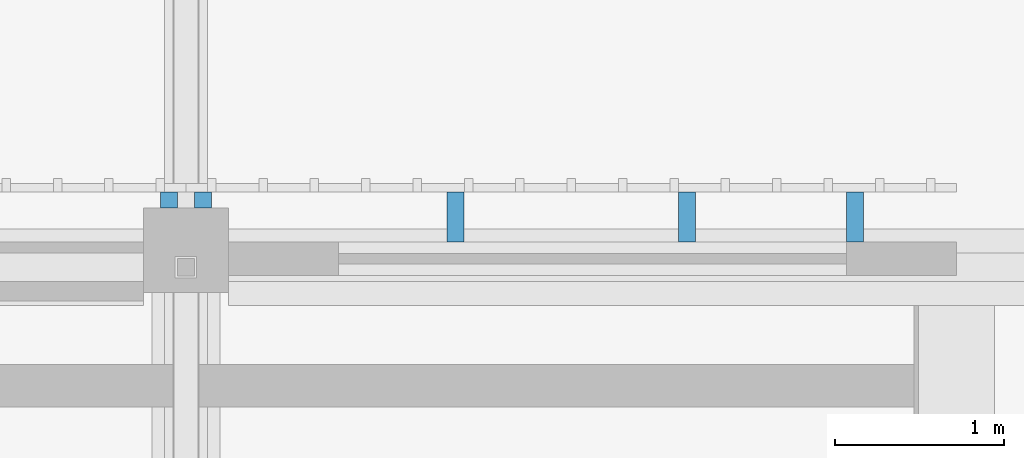
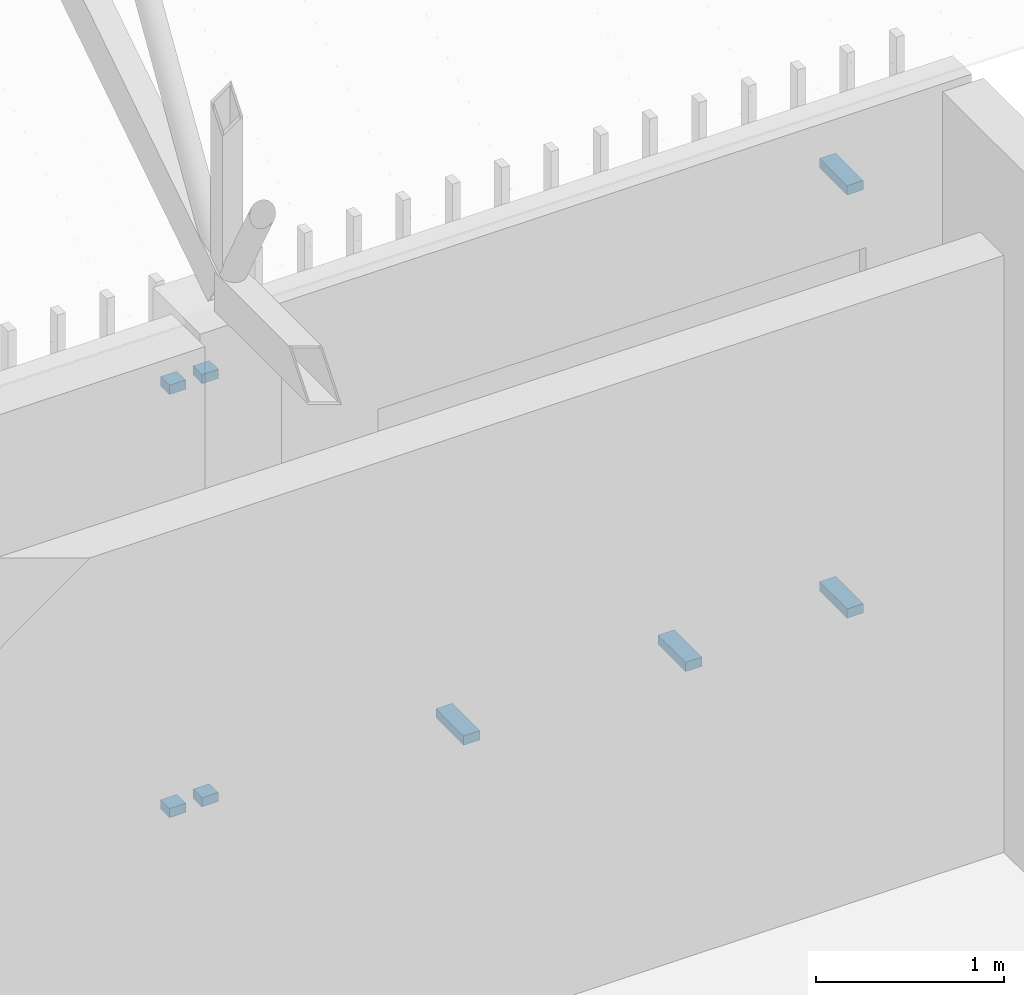
# One storey, part 448 of 500: 8 discrete accessories.
"""IFC4 building model written with IfcOpenShell, lengths in metres."""

import ifcopenshell
import ifcopenshell.guid

model = None  # the IFC model being written
_history = None  # IfcOwnerHistory: only IFC2X3 demands one
_inside = {}  # id of a spatial element -> (the spatial element, [elements in it])
_under = {}  # id of a project, library or spatial element -> (it, [spatial elements below it])
_declared = {}  # id of a project -> (the project, [libraries it declares])
_typed = {}  # id of a type object -> (the type object, [elements of that type])
_made_of = {}  # id of a material, layer set ... -> (it, [elements and type objects made of it])


def new_model(schema):
    """Start an empty IFC model of exactly this schema.

    Asked for "IFC4X3", IfcOpenShell would pick the latest addendum, in which some entities
    have other attributes; the version numbers below select the first issue.
    IFC2X3 requires an IfcOwnerHistory on every rooted entity: one is made here for all.
    """
    global model, _history
    if schema == "IFC4X3":
        model = ifcopenshell.file(schema_version=(4, 3, 0, 0))
    else:
        model = ifcopenshell.file(schema=schema)
    _inside.clear()
    _under.clear()
    _declared.clear()
    _typed.clear()
    _made_of.clear()
    _history = None
    if model.schema == "IFC2X3":
        org = make("IfcOrganization", Name="unknown")
        user = make(
            "IfcPersonAndOrganization",
            ThePerson=make("IfcPerson", FamilyName="unknown"),
            TheOrganization=org,
        )
        app = make(
            "IfcApplication",
            ApplicationDeveloper=org,
            Version="unknown",
            ApplicationFullName="unknown",
            ApplicationIdentifier="unknown",
        )
        _history = make(
            "IfcOwnerHistory",
            OwningUser=user,
            OwningApplication=app,
            ChangeAction="ADDED",
            CreationDate=0,
        )
    return model


def make(cls, **values):
    """One entity of the class cls with the attributes given. An attribute that is None is left unset."""
    return model.create_entity(
        cls, **{name: value for name, value in values.items() if value is not None}
    )


def rooted(cls, **values):
    """An entity with a GlobalId (a new one), such as an element, a storey or a relation."""
    return make(cls, GlobalId=ifcopenshell.guid.new(), OwnerHistory=_history, **values)


def si_unit(unit_type, name, prefix=None):
    """IfcSIUnit, for example si_unit("LENGTHUNIT", "METRE", prefix="MILLI")."""
    return make("IfcSIUnit", UnitType=unit_type, Prefix=prefix, Name=name)


def assignment(units):
    """IfcUnitAssignment: the units of a project."""
    return None if units is None else make("IfcUnitAssignment", Units=units)


def point(xyz):
    """IfcCartesianPoint."""
    return None if xyz is None else make("IfcCartesianPoint", Coordinates=xyz)


def direction(xyz):
    """IfcDirection."""
    return None if xyz is None else make("IfcDirection", DirectionRatios=xyz)


def frame(location, z_axis=None, x_axis=None):
    """IfcAxis2Placement3D, a coordinate frame: its origin and axes. An axis left out is left unset."""
    return make(
        "IfcAxis2Placement3D",
        Location=point(location),
        Axis=direction(z_axis),
        RefDirection=direction(x_axis),
    )


def frame_2d(location, x_axis=None):
    """IfcAxis2Placement2D, a coordinate frame in the plane: its origin and x axis."""
    return make(
        "IfcAxis2Placement2D", Location=point(location), RefDirection=direction(x_axis)
    )


def origin():
    """The frame at (0, 0, 0) with its axes left unset."""
    return frame((0.0, 0.0, 0.0))


def origin_2d():
    """The frame at (0, 0) in the plane with its x axis left unset."""
    return frame_2d((0.0, 0.0))


def place(relative_to, where):
    """IfcLocalPlacement: puts the frame where relative to a parent placement (None: the world)."""
    return make(
        "IfcLocalPlacement", PlacementRelTo=relative_to, RelativePlacement=where
    )


def context(
    kind, dimensions, precision=None, world=None, true_north=None, identifier=None
):
    """IfcGeometricRepresentationContext, for example the 3D "Model" context."""
    return make(
        "IfcGeometricRepresentationContext",
        ContextIdentifier=identifier,
        ContextType=kind,
        CoordinateSpaceDimension=dimensions,
        Precision=precision,
        WorldCoordinateSystem=world,
        TrueNorth=true_north,
    )


def subcontext(parent, identifier, kind, view, scale=None):
    """IfcGeometricRepresentationSubContext, for example "Body" below "Model"."""
    return make(
        "IfcGeometricRepresentationSubContext",
        ContextIdentifier=identifier,
        ContextType=kind,
        ParentContext=parent,
        TargetScale=scale,
        TargetView=view,
    )


def project(units=None, contexts=None):
    """IfcProject with its units and contexts."""
    return rooted(
        "IfcProject",
        Name="project",
        RepresentationContexts=contexts,
        UnitsInContext=assignment(units),
    )


def spatial(cls, under=None, at=None, **own):
    """A site, building, storey or space (cls), placed at a placement, below another one or the project."""
    s = rooted(cls, ObjectPlacement=at, **own)
    if under is not None:
        _under.setdefault(under.id(), (under, []))[1].append(s)
    return s


def profile(cls, at=None, kind="AREA", **sizes):
    """A parametric profile (cls). Its sizes go by their IFC names, for example OverallWidth=200.0."""
    return make(cls, ProfileType=kind, Position=at, **sizes)


def rectangle(**sizes):
    """IfcRectangleProfileDef."""
    return profile("IfcRectangleProfileDef", **sizes)


def extrude(swept, where, along, depth):
    """IfcExtrudedAreaSolid: the profile swept, set in the frame where, extruded along a direction by depth."""
    return make(
        "IfcExtrudedAreaSolid",
        SweptArea=swept,
        Position=where,
        ExtrudedDirection=direction(along),
        Depth=depth,
    )


def shape(context_of_items, identifier, shape_type, items):
    """IfcShapeRepresentation: the items that make up one representation, for example the "Body"."""
    return make(
        "IfcShapeRepresentation",
        ContextOfItems=context_of_items,
        RepresentationIdentifier=identifier,
        RepresentationType=shape_type,
        Items=items,
    )


def material(Name=None, Category=None):
    """IfcMaterial."""
    return make("IfcMaterial", Name=Name, Category=Category)


def made_of(thing, what):
    """Note that an element or type object is made of a material, layer set ...; save() writes the relation."""
    if what is not None:
        _made_of.setdefault(what.id(), (what, []))[1].append(thing)
    return thing


def type_object(cls, material=None, **own):
    """A type object (cls), such as IfcWallType, which elements share."""
    return made_of(rooted(cls, **own), material)


def element(
    cls,
    number,
    at=None,
    inside=None,
    cuts=None,
    type_object=None,
    material=None,
    context=None,
    identifier="Body",
    shape_type=None,
    held_by="IfcProductDefinitionShape",
    body=None,
    shapes=None,
    **own,
):
    """One element of the class cls, such as IfcWall. Its Tag is "e" and its number.

    at: its placement. inside: the storey or other place that contains it. cuts: it is an
    opening in that element (IfcRelVoidsElement). A single representation is given by context,
    identifier, shape_type and body (its items); several are given by shapes. held_by: the class
    of the entity that holds the representations. save() writes the other relations.
    """
    e = rooted(cls, Tag="e%d" % number, ObjectPlacement=at, **own)
    if body is not None:
        shapes = [shape(context, identifier, shape_type, body)]
    if shapes is not None:
        e.Representation = make(held_by, Representations=shapes)
    if inside is not None:
        _inside.setdefault(inside.id(), (inside, []))[1].append(e)
    if cuts is not None:
        rooted(
            "IfcRelVoidsElement", RelatingBuildingElement=cuts, RelatedOpeningElement=e
        )
    if type_object is not None:
        _typed.setdefault(type_object.id(), (type_object, []))[1].append(e)
    return made_of(e, material)


def aggregate(whole, parts):
    """IfcRelAggregates: a whole, such as a stair, and the parts it consists of."""
    return rooted("IfcRelAggregates", RelatingObject=whole, RelatedObjects=parts)


def save(model, path):
    """Write the relations noted so far, then the file.

    IfcRelAggregates (storeys below a building ...), IfcRelContainedInSpatialStructure (elements
    in a storey), IfcRelDefinesByType, IfcRelAssociatesMaterial and IfcRelDeclares: one each for
    every whole, place, type object, material and project.
    """
    for whole, parts in _under.values():
        aggregate(whole, parts)
    for where, things in _inside.values():
        rooted(
            "IfcRelContainedInSpatialStructure",
            RelatedElements=things,
            RelatingStructure=where,
        )
    for kind, things in _typed.values():
        rooted("IfcRelDefinesByType", RelatedObjects=things, RelatingType=kind)
    for what, things in _made_of.values():
        rooted("IfcRelAssociatesMaterial", RelatedObjects=things, RelatingMaterial=what)
    for by, libraries in _declared.values():
        rooted("IfcRelDeclares", RelatingContext=by, RelatedDefinitions=libraries)
    model.write(path)


model = new_model("IFC4")

# Units and contexts
model_context = context("Model", 3, precision=1e-05, world=origin(), true_north=direction((0.0, 1.0)))
body_context = subcontext(model_context, "Body", "Model", "MODEL_VIEW")
ifc_project = project(units=[si_unit("LENGTHUNIT", "METRE"), si_unit("AREAUNIT", "SQUARE_METRE"), si_unit("VOLUMEUNIT", "CUBIC_METRE"), si_unit("PLANEANGLEUNIT", "RADIAN"), si_unit("MASSUNIT", "GRAM", prefix="KILO")], contexts=[model_context])

# Site, building, storey
site_placement = place(None, origin())
site = spatial("IfcSite", under=ifc_project, at=site_placement, CompositionType="ELEMENT")
building_placement = place(site_placement, origin())
building = spatial("IfcBuilding", under=site, at=building_placement, Name="Shirokan Park Arena", CompositionType="ELEMENT")
storey_placement = place(building_placement, frame((0.0, 0.0, 29.1201171875)))
storey = spatial("IfcBuildingStorey", under=building, at=storey_placement, Name="L06", CompositionType="ELEMENT", Elevation=29.1201171875)

# Discrete accessories
ifc_material = material(Name="Steel S355", Category="steel")
discrete_accessory_type = type_object("IfcDiscreteAccessoryType", Name="Veil bracket 100x60", PredefinedType="BRACKET", material=ifc_material)
discrete_accessory_1_placement = place(storey_placement, frame((40.35009765625, 109.49755859375, 1.06982421875), z_axis=(0.0, 0.0, 1.0), x_axis=(-1.0, 0.0, 0.0)))
element("IfcDiscreteAccessory", 1, at=discrete_accessory_1_placement, inside=storey, type_object=discrete_accessory_type, Name="Veil bracket north bay 12 L06 1", PredefinedType="BRACKET", context=body_context, shape_type="SweptSolid", body=[
    extrude(rectangle(XDim=0.10009765625, YDim=0.294921875, at=origin_2d()), origin(), (0.0, 0.0, 1.0), 0.06005859375),
])
discrete_accessory_2_placement = place(storey_placement, frame((36.5, 109.597412109375, 1.06982421875), z_axis=(0.0, 0.0, 1.0), x_axis=(-1.0, 0.0, 0.0)))
element("IfcDiscreteAccessory", 2, at=discrete_accessory_2_placement, inside=storey, type_object=discrete_accessory_type, Name="Veil bracket north bay 12 L06 2", PredefinedType="BRACKET", context=body_context, shape_type="SweptSolid", body=[
    extrude(rectangle(XDim=0.10009765625, YDim=0.094970703125, at=origin_2d()), origin(), (0.0, 0.0, 1.0), 0.06005859375),
])
discrete_accessory_3_placement = place(storey_placement, frame((40.35009765625, 109.49755859375, 3.81982421875), z_axis=(0.0, 0.0, 1.0), x_axis=(-1.0, 0.0, 0.0)))
element("IfcDiscreteAccessory", 3, at=discrete_accessory_3_placement, inside=storey, type_object=discrete_accessory_type, Name="Veil bracket north bay 12 L06 3", PredefinedType="BRACKET", context=body_context, shape_type="SweptSolid", body=[
    extrude(rectangle(XDim=0.10009765625, YDim=0.294921875, at=origin_2d()), origin(), (0.0, 0.0, 1.0), 0.06005859375),
])
discrete_accessory_4_placement = place(storey_placement, frame((36.5, 109.597412109375, 3.81982421875), z_axis=(0.0, 0.0, 1.0), x_axis=(-1.0, 0.0, 0.0)))
element("IfcDiscreteAccessory", 4, at=discrete_accessory_4_placement, inside=storey, type_object=discrete_accessory_type, Name="Veil bracket north bay 12 L06 4", PredefinedType="BRACKET", context=body_context, shape_type="SweptSolid", body=[
    extrude(rectangle(XDim=0.10009765625, YDim=0.094970703125, at=origin_2d()), origin(), (0.0, 0.0, 1.0), 0.06005859375),
])
for number, where, z_axis, x_axis, name in (
    (5, (39.357421875, 109.49755859375, 1.06982421875), (0.0, 0.0, 1.0), (-1.0, 0.0, 0.0), "Veil bracket north bay 12 L06 wall 1"),
    (6, (37.992431640625, 109.49755859375, 1.06982421875), (0.0, 0.0, 1.0), (-1.0, 0.0, 0.0), "Veil bracket north bay 12 L06 wall 2"),
):
    element("IfcDiscreteAccessory", number, at=place(storey_placement, frame(where, z_axis=z_axis, x_axis=x_axis)), inside=storey, type_object=discrete_accessory_type, Name=name, PredefinedType="BRACKET", context=body_context, shape_type="SweptSolid", body=[
        extrude(rectangle(XDim=0.10009765625, YDim=0.294921875, at=origin_2d()), origin(), (0.0, 0.0, 1.0), 0.06005859375),
    ])
for number, where, z_axis, x_axis, name in (
    (7, (36.300048828125, 109.597412109375, 1.06982421875), (0.0, 0.0, 1.0), (-1.0, 0.0, 0.0), "Veil bracket north bay 13 L06 1"),
    (8, (36.300048828125, 109.597412109375, 3.81982421875), (0.0, 0.0, 1.0), (-1.0, 0.0, 0.0), "Veil bracket north bay 13 L06 3"),
):
    element("IfcDiscreteAccessory", number, at=place(storey_placement, frame(where, z_axis=z_axis, x_axis=x_axis)), inside=storey, type_object=discrete_accessory_type, Name=name, PredefinedType="BRACKET", context=body_context, shape_type="SweptSolid", body=[
        extrude(rectangle(XDim=0.10009765625, YDim=0.094970703125, at=origin_2d()), origin(), (0.0, 0.0, 1.0), 0.06005859375),
    ])

save(model, "model.ifc")
